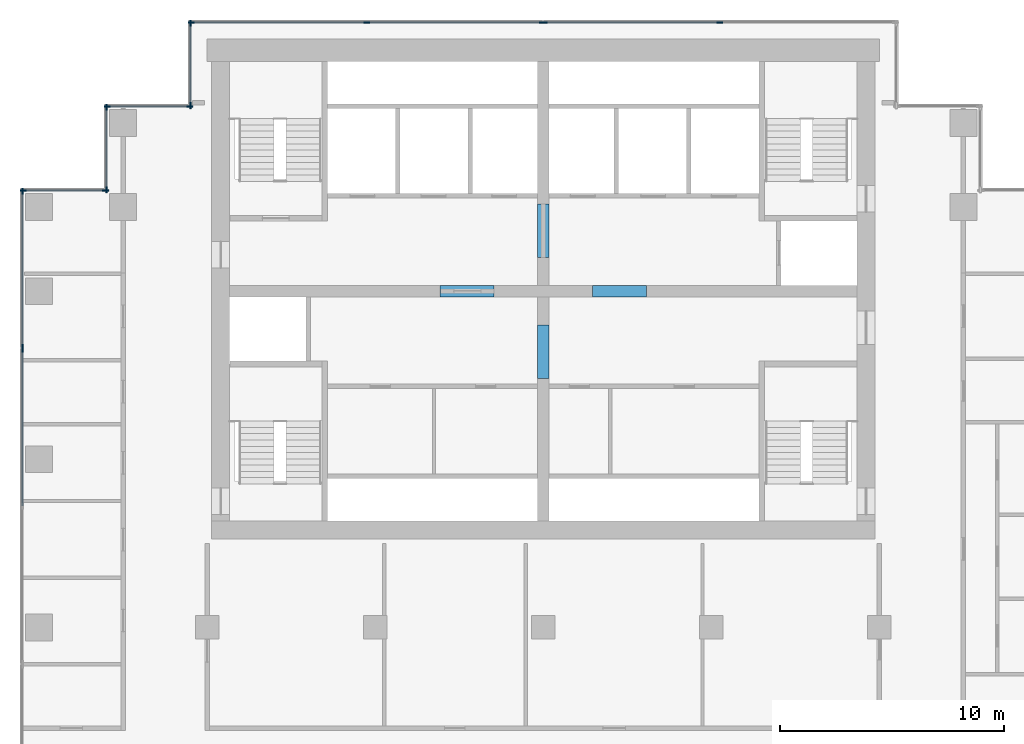
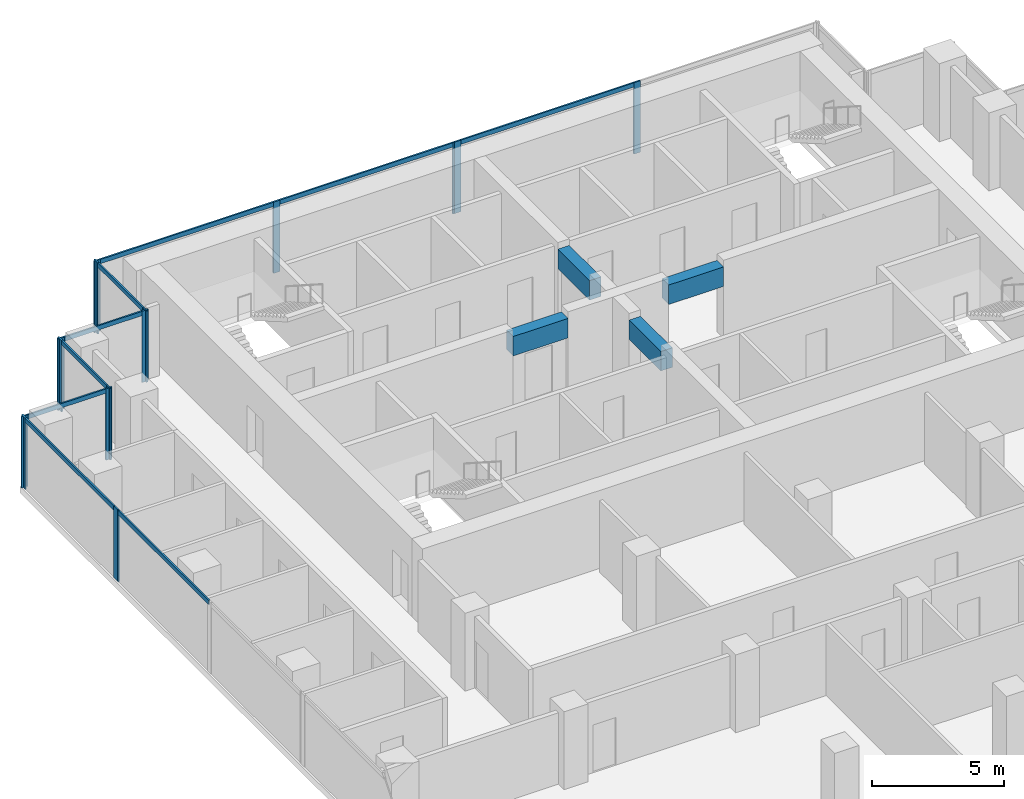
# One storey, part 4 of 10: 25 members, 4 beams, 8 elements without a shape of their own.
"""IFC4 building model written with IfcOpenShell, lengths in metres."""

from ifc_helpers import new_model, si_unit, direction, frame, origin, origin_2d, place, context, subcontext, project, spatial, rectangle, extrude, material, material_profile, profile_set, type_object, element, aggregate, save


model = new_model("IFC4")

# Units and contexts
model_context = context("Model", 3, precision=1e-05, world=origin(), true_north=direction((0.0, 1.0)))
body_context = subcontext(model_context, "Body", "Model", "MODEL_VIEW")
ifc_project = project(units=[si_unit("LENGTHUNIT", "METRE"), si_unit("AREAUNIT", "SQUARE_METRE"), si_unit("VOLUMEUNIT", "CUBIC_METRE"), si_unit("PLANEANGLEUNIT", "RADIAN"), si_unit("MASSUNIT", "GRAM", prefix="KILO")], contexts=[model_context])

# Site, building, storey
site_placement = place(None, origin())
site = spatial("IfcSite", under=ifc_project, at=site_placement, CompositionType="ELEMENT")
building_placement = place(site_placement, origin())
building = spatial("IfcBuilding", under=site, at=building_placement, Name="Pilkhan Gate Tower", CompositionType="ELEMENT")
storey_placement = place(building_placement, frame((0.0, 0.0, 158.5)))
storey = spatial("IfcBuildingStorey", under=building, at=storey_placement, Name="L40", CompositionType="ELEMENT", Elevation=158.5)

# Beams
ifc_material_1 = material(Name="Concrete C60/75", Category="concrete")
ifc_material_profile_1 = material_profile(ifc_material_1, rectangle(XDim=0.5, YDim=0.89990234375, at=origin_2d()), Name="RC 500x900")
ifc_profile_set_1 = profile_set([ifc_material_profile_1], Name="Concrete C60/75")
beam_type = type_object("IfcBeamType", Name="Coupling beam CB90 RC 500x900 C60/75", PredefinedType="LINTEL", material=ifc_profile_set_1)
for number, where, z_axis, x_axis, name in (
    (1, (70.39990234375, 82.5, 2.85009765625), (1.0, 0.0, 0.0), (0.0, 1.0, 0.0), "Coupling beam 1 L40"),
    (2, (77.199951171875, 82.5, 2.85009765625), (1.0, 0.0, 0.0), (0.0, 1.0, 0.0), "Coupling beam 2 L40"),
):
    element("IfcBeam", number, at=place(storey_placement, frame(where, z_axis=z_axis, x_axis=x_axis)), inside=storey, type_object=beam_type, Name=name, PredefinedType="LINTEL", context=body_context, shape_type="SweptSolid", body=[
        extrude(rectangle(XDim=0.5, YDim=0.89990234375, at=origin_2d()), origin(), (0.0, 0.0, 1.0), 2.400146484375),
    ])
for number, where, z_axis, x_axis, name in (
    (3, (75.0, 78.60009765625, 2.85009765625), (0.0, 1.0, 0.0), (-1.0, 0.0, 0.0), "Coupling beam 3 L40"),
    (4, (75.0, 84.0, 2.85009765625), (0.0, 1.0, 0.0), (-1.0, 0.0, 0.0), "Coupling beam 4 L40"),
):
    element("IfcBeam", number, at=place(storey_placement, frame(where, z_axis=z_axis, x_axis=x_axis)), inside=storey, type_object=beam_type, Name=name, PredefinedType="LINTEL", context=body_context, shape_type="SweptSolid", body=[
        extrude(rectangle(XDim=0.5, YDim=0.89990234375, at=origin_2d()), origin(), (0.0, 0.0, 1.0), 2.39990234375),
    ])

# Curtain wall, members
ifc_material_2 = material(Name="Pale anodised aluminium, clear low-iron double glazing", Category="aluminium")
curtain_wall_type = type_object("IfcCurtainWallType", Name="Office unitised curtain wall CW-O1", PredefinedType="USERDEFINED", material=ifc_material_2)
curtain_wall_1_placement = place(storey_placement, origin())
curtain_wall_1 = element("IfcCurtainWall", 5, at=curtain_wall_1_placement, inside=storey, type_object=curtain_wall_type, Name="Office unitised curtain wall CW-O1 L40 N", ObjectType="UNITISED CURTAIN WALL", PredefinedType="USERDEFINED")
ifc_material_3 = material(Name="Pale anodised aluminium", Category="aluminium")
ifc_material_profile_2 = material_profile(ifc_material_3, rectangle(XDim=0.070068359375, YDim=0.27490234375, at=origin_2d()), Name="Mullion 275x70")
ifc_profile_set_2 = profile_set([ifc_material_profile_2], Name="Pale anodised aluminium")
member_type_1 = type_object("IfcMemberType", Name="Mullion CW-O1 275x70", PredefinedType="MULLION", material=ifc_profile_set_2)
member_1_placement = place(storey_placement, frame((59.284912109375, 94.5, 0.0), z_axis=(0.0, 0.0, 1.0), x_axis=(0.0, 1.0, 0.0)))
member_1 = element("IfcMember", 6, at=member_1_placement, type_object=member_type_1, Name="CW-O1 mullion 1", PredefinedType="MULLION", context=body_context, shape_type="SweptSolid", body=[
    extrude(rectangle(XDim=0.070068359375, YDim=0.27490234375, at=origin_2d()), origin(), (0.0, 0.0, 1.0), 3.300048828125),
])
member_2_placement = place(storey_placement, frame((67.125, 94.5, 0.0), z_axis=(0.0, 0.0, 1.0), x_axis=(0.0, 1.0, 0.0)))
member_2 = element("IfcMember", 7, at=member_2_placement, type_object=member_type_1, Name="CW-O1 mullion 2", PredefinedType="MULLION", context=body_context, shape_type="SweptSolid", body=[
    extrude(rectangle(XDim=0.070068359375, YDim=0.27490234375, at=origin_2d()), origin(), (0.0, 0.0, 1.0), 3.300048828125),
])
member_3_placement = place(storey_placement, frame((74.965087890625, 94.5, 0.0), z_axis=(0.0, 0.0, 1.0), x_axis=(0.0, 1.0, 0.0)))
member_3 = element("IfcMember", 8, at=member_3_placement, type_object=member_type_1, Name="CW-O1 mullion 3", PredefinedType="MULLION", context=body_context, shape_type="SweptSolid", body=[
    extrude(rectangle(XDim=0.070068359375, YDim=0.27490234375, at=origin_2d()), origin(), (0.0, 0.0, 1.0), 3.300048828125),
])

curtain_wall_2_placement = place(storey_placement, origin())
curtain_wall_2 = element("IfcCurtainWall", 9, at=curtain_wall_2_placement, inside=storey, type_object=curtain_wall_type, Name="Office unitised curtain wall CW-O1 L40 N", ObjectType="UNITISED CURTAIN WALL", PredefinedType="USERDEFINED")
member_4_placement = place(storey_placement, frame((75.034912109375, 94.5, 0.0), z_axis=(0.0, 0.0, 1.0), x_axis=(0.0, 1.0, 0.0)))
member_4 = element("IfcMember", 10, at=member_4_placement, type_object=member_type_1, Name="CW-O1 mullion 1", PredefinedType="MULLION", context=body_context, shape_type="SweptSolid", body=[
    extrude(rectangle(XDim=0.070068359375, YDim=0.27490234375, at=origin_2d()), origin(), (0.0, 0.0, 1.0), 3.300048828125),
])
member_5_placement = place(storey_placement, frame((82.875, 94.5, 0.0), z_axis=(0.0, 0.0, 1.0), x_axis=(0.0, 1.0, 0.0)))
member_5 = element("IfcMember", 11, at=member_5_placement, type_object=member_type_1, Name="CW-O1 mullion 2", PredefinedType="MULLION", context=body_context, shape_type="SweptSolid", body=[
    extrude(rectangle(XDim=0.070068359375, YDim=0.27490234375, at=origin_2d()), origin(), (0.0, 0.0, 1.0), 3.300048828125),
])

curtain_wall_3_placement = place(storey_placement, origin())
curtain_wall_3 = element("IfcCurtainWall", 12, at=curtain_wall_3_placement, inside=storey, type_object=curtain_wall_type, Name="Office unitised curtain wall CW-O1 L40 W", ObjectType="UNITISED CURTAIN WALL", PredefinedType="USERDEFINED")
member_6_placement = place(storey_placement, frame((59.25, 90.784912109375, 0.0), z_axis=(0.0, 0.0, 1.0), x_axis=(-1.0, 0.0, 0.0)))
member_6 = element("IfcMember", 13, at=member_6_placement, type_object=member_type_1, Name="CW-O1 mullion 1", PredefinedType="MULLION", context=body_context, shape_type="SweptSolid", body=[
    extrude(rectangle(XDim=0.070068359375, YDim=0.27490234375, at=origin_2d()), origin(), (0.0, 0.0, 1.0), 3.300048828125),
])
member_7_placement = place(storey_placement, frame((59.25, 94.465087890625, 0.0), z_axis=(0.0, 0.0, 1.0), x_axis=(-1.0, 0.0, 0.0)))
member_7 = element("IfcMember", 14, at=member_7_placement, type_object=member_type_1, Name="CW-O1 mullion 2", PredefinedType="MULLION", context=body_context, shape_type="SweptSolid", body=[
    extrude(rectangle(XDim=0.070068359375, YDim=0.27490234375, at=origin_2d()), origin(), (0.0, 0.0, 1.0), 3.300048828125),
])

curtain_wall_4_placement = place(storey_placement, origin())
curtain_wall_4 = element("IfcCurtainWall", 15, at=curtain_wall_4_placement, inside=storey, type_object=curtain_wall_type, Name="Office unitised curtain wall CW-O1 L40 N", ObjectType="UNITISED CURTAIN WALL", PredefinedType="USERDEFINED")
member_8_placement = place(storey_placement, frame((55.534912109375, 90.75, 0.0), z_axis=(0.0, 0.0, 1.0), x_axis=(0.0, 1.0, 0.0)))
member_8 = element("IfcMember", 16, at=member_8_placement, type_object=member_type_1, Name="CW-O1 mullion 1", PredefinedType="MULLION", context=body_context, shape_type="SweptSolid", body=[
    extrude(rectangle(XDim=0.070068359375, YDim=0.27490234375, at=origin_2d()), origin(), (0.0, 0.0, 1.0), 3.300048828125),
])
member_9_placement = place(storey_placement, frame((59.215087890625, 90.75, 0.0), z_axis=(0.0, 0.0, 1.0), x_axis=(0.0, 1.0, 0.0)))
member_9 = element("IfcMember", 17, at=member_9_placement, type_object=member_type_1, Name="CW-O1 mullion 2", PredefinedType="MULLION", context=body_context, shape_type="SweptSolid", body=[
    extrude(rectangle(XDim=0.070068359375, YDim=0.27490234375, at=origin_2d()), origin(), (0.0, 0.0, 1.0), 3.300048828125),
])

curtain_wall_5_placement = place(storey_placement, origin())
curtain_wall_5 = element("IfcCurtainWall", 18, at=curtain_wall_5_placement, inside=storey, type_object=curtain_wall_type, Name="Office unitised curtain wall CW-O1 L40 W", ObjectType="UNITISED CURTAIN WALL", PredefinedType="USERDEFINED")
member_10_placement = place(storey_placement, frame((55.5, 87.034912109375, 0.0), z_axis=(0.0, 0.0, 1.0), x_axis=(-1.0, 0.0, 0.0)))
member_10 = element("IfcMember", 19, at=member_10_placement, type_object=member_type_1, Name="CW-O1 mullion 1", PredefinedType="MULLION", context=body_context, shape_type="SweptSolid", body=[
    extrude(rectangle(XDim=0.070068359375, YDim=0.27490234375, at=origin_2d()), origin(), (0.0, 0.0, 1.0), 3.300048828125),
])
member_11_placement = place(storey_placement, frame((55.5, 90.715087890625, 0.0), z_axis=(0.0, 0.0, 1.0), x_axis=(-1.0, 0.0, 0.0)))
member_11 = element("IfcMember", 20, at=member_11_placement, type_object=member_type_1, Name="CW-O1 mullion 2", PredefinedType="MULLION", context=body_context, shape_type="SweptSolid", body=[
    extrude(rectangle(XDim=0.070068359375, YDim=0.27490234375, at=origin_2d()), origin(), (0.0, 0.0, 1.0), 3.300048828125),
])

curtain_wall_6_placement = place(storey_placement, origin())
curtain_wall_6 = element("IfcCurtainWall", 21, at=curtain_wall_6_placement, inside=storey, type_object=curtain_wall_type, Name="Office unitised curtain wall CW-O1 L40 N", ObjectType="UNITISED CURTAIN WALL", PredefinedType="USERDEFINED")
member_12_placement = place(storey_placement, frame((51.784912109375, 87.0, 0.0), z_axis=(0.0, 0.0, 1.0), x_axis=(0.0, 1.0, 0.0)))
member_12 = element("IfcMember", 22, at=member_12_placement, type_object=member_type_1, Name="CW-O1 mullion 1", PredefinedType="MULLION", context=body_context, shape_type="SweptSolid", body=[
    extrude(rectangle(XDim=0.070068359375, YDim=0.27490234375, at=origin_2d()), origin(), (0.0, 0.0, 1.0), 3.300048828125),
])
member_13_placement = place(storey_placement, frame((55.465087890625, 87.0, 0.0), z_axis=(0.0, 0.0, 1.0), x_axis=(0.0, 1.0, 0.0)))
member_13 = element("IfcMember", 23, at=member_13_placement, type_object=member_type_1, Name="CW-O1 mullion 2", PredefinedType="MULLION", context=body_context, shape_type="SweptSolid", body=[
    extrude(rectangle(XDim=0.070068359375, YDim=0.27490234375, at=origin_2d()), origin(), (0.0, 0.0, 1.0), 3.300048828125),
])

# Curtain wall, member
curtain_wall_7_placement = place(storey_placement, origin())
curtain_wall_7 = element("IfcCurtainWall", 24, at=curtain_wall_7_placement, inside=storey, type_object=curtain_wall_type, Name="Office unitised curtain wall CW-O1 L40 W", ObjectType="UNITISED CURTAIN WALL", PredefinedType="USERDEFINED")
member_14_placement = place(storey_placement, frame((51.75, 79.9150390625, 0.0), z_axis=(0.0, 0.0, 1.0), x_axis=(-1.0, 0.0, 0.0)))
member_14 = element("IfcMember", 25, at=member_14_placement, type_object=member_type_1, Name="CW-O1 mullion 3", PredefinedType="MULLION", context=body_context, shape_type="SweptSolid", body=[
    extrude(rectangle(XDim=0.070068359375, YDim=0.27490234375, at=origin_2d()), origin(), (0.0, 0.0, 1.0), 3.300048828125),
])

# Curtain wall, members
curtain_wall_8_placement = place(storey_placement, origin())
curtain_wall_8 = element("IfcCurtainWall", 26, at=curtain_wall_8_placement, inside=storey, type_object=curtain_wall_type, Name="Office unitised curtain wall CW-O1 L40 W", ObjectType="UNITISED CURTAIN WALL", PredefinedType="USERDEFINED")
member_15_placement = place(storey_placement, frame((51.75, 79.985107421875, 0.0), z_axis=(0.0, 0.0, 1.0), x_axis=(-1.0, 0.0, 0.0)))
member_15 = element("IfcMember", 27, at=member_15_placement, type_object=member_type_1, Name="CW-O1 mullion 1", PredefinedType="MULLION", context=body_context, shape_type="SweptSolid", body=[
    extrude(rectangle(XDim=0.070068359375, YDim=0.27490234375, at=origin_2d()), origin(), (0.0, 0.0, 1.0), 3.300048828125),
])
member_16_placement = place(storey_placement, frame((51.75, 86.965087890625, 0.0), z_axis=(0.0, 0.0, 1.0), x_axis=(-1.0, 0.0, 0.0)))
member_16 = element("IfcMember", 28, at=member_16_placement, type_object=member_type_1, Name="CW-O1 mullion 2", PredefinedType="MULLION", context=body_context, shape_type="SweptSolid", body=[
    extrude(rectangle(XDim=0.070068359375, YDim=0.27490234375, at=origin_2d()), origin(), (0.0, 0.0, 1.0), 3.300048828125),
])

# Member
ifc_material_profile_3 = material_profile(ifc_material_3, rectangle(XDim=0.070068359375, YDim=0.199951171875, at=origin_2d()), Name="Transom 200x70")
ifc_profile_set_3 = profile_set([ifc_material_profile_3], Name="Pale anodised aluminium")
member_type_2 = type_object("IfcMemberType", Name="Transom CW-O1 200x70", PredefinedType="USERDEFINED", material=ifc_profile_set_3)
member_17_placement = place(storey_placement, frame((59.320068359375, 94.5, 3.199951171875), z_axis=(1.0, 0.0, 0.0), x_axis=(0.0, 1.0, 0.0)))
member_17 = element("IfcMember", 29, at=member_17_placement, type_object=member_type_2, Name="CW-O1 transom 1", ObjectType="TRANSOM", PredefinedType="USERDEFINED", context=body_context, shape_type="SweptSolid", body=[
    extrude(rectangle(XDim=0.070068359375, YDim=0.199951171875, at=origin_2d()), origin(), (0.0, 0.0, 1.0), 7.77001953125),
])

member_18_placement = place(storey_placement, frame((67.159912109375, 94.5, 3.199951171875), z_axis=(1.0, 0.0, 0.0), x_axis=(0.0, 1.0, 0.0)))
member_18 = element("IfcMember", 30, at=member_18_placement, type_object=member_type_2, Name="CW-O1 transom 2", ObjectType="TRANSOM", PredefinedType="USERDEFINED", context=body_context, shape_type="SweptSolid", body=[
    extrude(rectangle(XDim=0.070068359375, YDim=0.199951171875, at=origin_2d()), origin(), (0.0, 0.0, 1.0), 7.77001953125),
])

aggregate(curtain_wall_1, [member_1, member_2, member_3, member_17, member_18])

member_19_placement = place(storey_placement, frame((75.070068359375, 94.5, 3.199951171875), z_axis=(1.0, 0.0, 0.0), x_axis=(0.0, 1.0, 0.0)))
member_19 = element("IfcMember", 31, at=member_19_placement, type_object=member_type_2, Name="CW-O1 transom 1", ObjectType="TRANSOM", PredefinedType="USERDEFINED", context=body_context, shape_type="SweptSolid", body=[
    extrude(rectangle(XDim=0.070068359375, YDim=0.199951171875, at=origin_2d()), origin(), (0.0, 0.0, 1.0), 7.77001953125),
])

aggregate(curtain_wall_2, [member_4, member_5, member_19])

member_20_placement = place(storey_placement, frame((59.25, 90.820068359375, 3.199951171875), z_axis=(0.0, 1.0, 0.0), x_axis=(-1.0, 0.0, 0.0)))
member_20 = element("IfcMember", 32, at=member_20_placement, type_object=member_type_2, Name="CW-O1 transom 1", ObjectType="TRANSOM", PredefinedType="USERDEFINED", context=body_context, shape_type="SweptSolid", body=[
    extrude(rectangle(XDim=0.070068359375, YDim=0.199951171875, at=origin_2d()), origin(), (0.0, 0.0, 1.0), 3.60986328125),
])

aggregate(curtain_wall_3, [member_6, member_7, member_20])

member_21_placement = place(storey_placement, frame((55.570068359375, 90.75, 3.199951171875), z_axis=(1.0, 0.0, 0.0), x_axis=(0.0, 1.0, 0.0)))
member_21 = element("IfcMember", 33, at=member_21_placement, type_object=member_type_2, Name="CW-O1 transom 1", ObjectType="TRANSOM", PredefinedType="USERDEFINED", context=body_context, shape_type="SweptSolid", body=[
    extrude(rectangle(XDim=0.070068359375, YDim=0.199951171875, at=origin_2d()), origin(), (0.0, 0.0, 1.0), 3.60986328125),
])

aggregate(curtain_wall_4, [member_8, member_9, member_21])

member_22_placement = place(storey_placement, frame((55.5, 87.070068359375, 3.199951171875), z_axis=(0.0, 1.0, 0.0), x_axis=(-1.0, 0.0, 0.0)))
member_22 = element("IfcMember", 34, at=member_22_placement, type_object=member_type_2, Name="CW-O1 transom 1", ObjectType="TRANSOM", PredefinedType="USERDEFINED", context=body_context, shape_type="SweptSolid", body=[
    extrude(rectangle(XDim=0.070068359375, YDim=0.199951171875, at=origin_2d()), origin(), (0.0, 0.0, 1.0), 3.60986328125),
])

aggregate(curtain_wall_5, [member_10, member_11, member_22])

member_23_placement = place(storey_placement, frame((51.820068359375, 87.0, 3.199951171875), z_axis=(1.0, 0.0, 0.0), x_axis=(0.0, 1.0, 0.0)))
member_23 = element("IfcMember", 35, at=member_23_placement, type_object=member_type_2, Name="CW-O1 transom 1", ObjectType="TRANSOM", PredefinedType="USERDEFINED", context=body_context, shape_type="SweptSolid", body=[
    extrude(rectangle(XDim=0.070068359375, YDim=0.199951171875, at=origin_2d()), origin(), (0.0, 0.0, 1.0), 3.60986328125),
])

aggregate(curtain_wall_6, [member_12, member_13, member_23])

member_24_placement = place(storey_placement, frame((51.75, 72.93505859375, 3.199951171875), z_axis=(0.0, 1.0, 0.0), x_axis=(-1.0, 0.0, 0.0)))
member_24 = element("IfcMember", 36, at=member_24_placement, type_object=member_type_2, Name="CW-O1 transom 2", ObjectType="TRANSOM", PredefinedType="USERDEFINED", context=body_context, shape_type="SweptSolid", body=[
    extrude(rectangle(XDim=0.070068359375, YDim=0.199951171875, at=origin_2d()), origin(), (0.0, 0.0, 1.0), 6.94482421875),
])

aggregate(curtain_wall_7, [member_14, member_24])

member_25_placement = place(storey_placement, frame((51.75, 80.02001953125, 3.199951171875), z_axis=(0.0, 1.0, 0.0), x_axis=(-1.0, 0.0, 0.0)))
member_25 = element("IfcMember", 37, at=member_25_placement, type_object=member_type_2, Name="CW-O1 transom 1", ObjectType="TRANSOM", PredefinedType="USERDEFINED", context=body_context, shape_type="SweptSolid", body=[
    extrude(rectangle(XDim=0.070068359375, YDim=0.199951171875, at=origin_2d()), origin(), (0.0, 0.0, 1.0), 6.909912109375),
])

aggregate(curtain_wall_8, [member_15, member_16, member_25])

save(model, "model.ifc")
